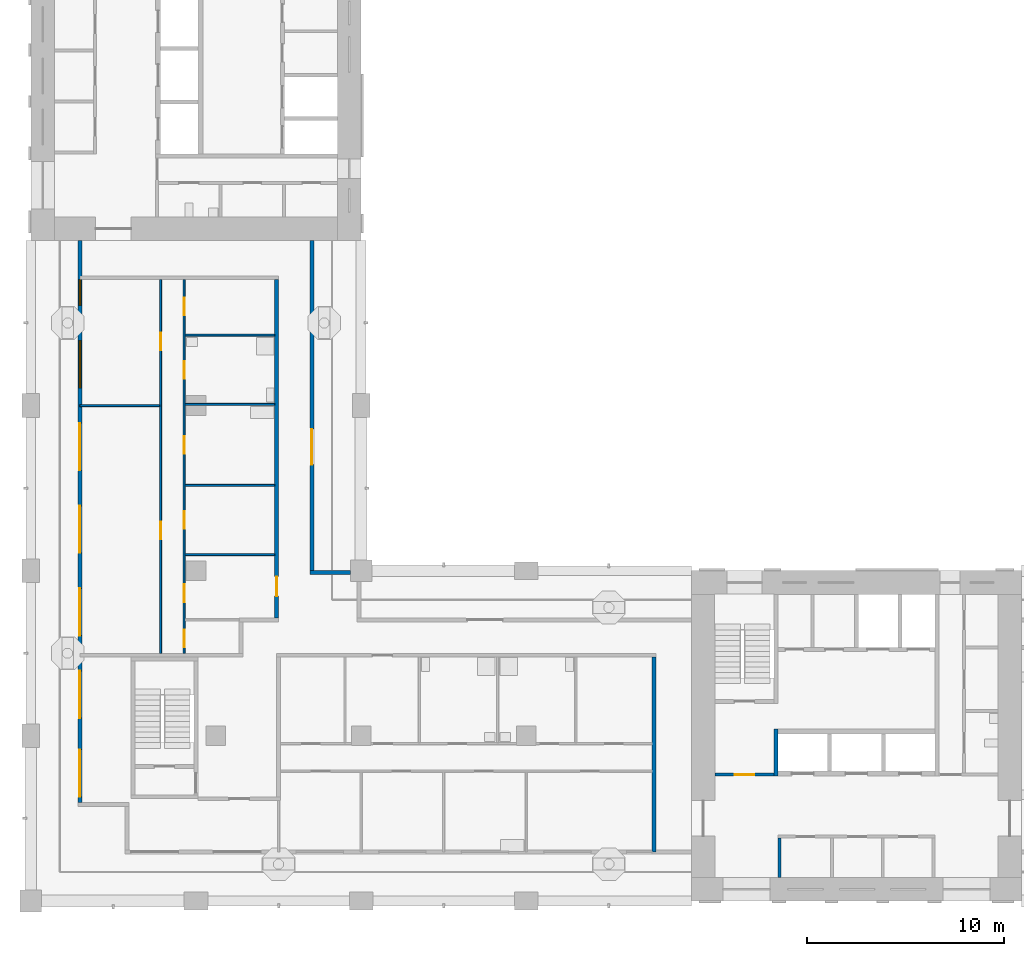
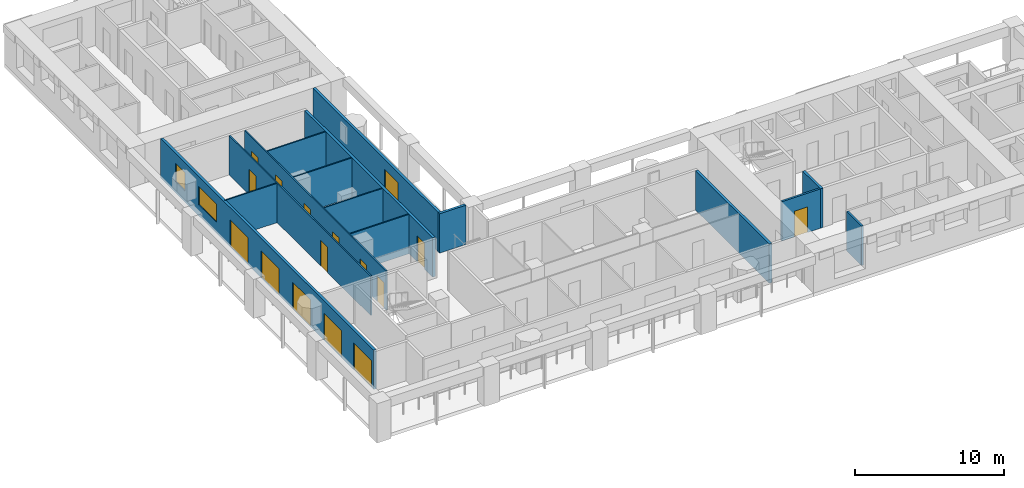
# One storey, part 3 of 13: 16 doors, 15 walls, 2 windows, 18 openings.
"""IFC4 building model written with IfcOpenShell, lengths in metres."""

from ifc_helpers import new_model, si_unit, direction, frame, frame_2d, origin, place, context, subcontext, project, spatial, rectangle, extrude, material, layer, layer_set, type_object, element, fill, save


model = new_model("IFC4")

# Units and contexts
model_context = context("Model", 3, precision=1e-05, world=origin(), true_north=direction((0.0, 1.0)))
body_context = subcontext(model_context, "Body", "Model", "MODEL_VIEW")
ifc_project = project(units=[si_unit("LENGTHUNIT", "METRE"), si_unit("AREAUNIT", "SQUARE_METRE"), si_unit("VOLUMEUNIT", "CUBIC_METRE"), si_unit("PLANEANGLEUNIT", "RADIAN"), si_unit("MASSUNIT", "GRAM", prefix="KILO")], contexts=[model_context])

# Site, building, storey
site_placement = place(None, origin())
site = spatial("IfcSite", under=ifc_project, at=site_placement, CompositionType="ELEMENT")
building_placement = place(site_placement, origin())
building = spatial("IfcBuilding", under=site, at=building_placement, Name="Vermilion Gate Residences", CompositionType="ELEMENT")
storey_placement = place(building_placement, frame((0.0, 0.0, 196.699951171875)))
storey = spatial("IfcBuildingStorey", under=building, at=storey_placement, Name="L51", CompositionType="ELEMENT", Elevation=196.699951171875)

# Wall
ifc_material_1 = material(Name="Masonry blockwork", Category="masonry")
ifc_layer_1 = layer(ifc_material_1, 0.14990234375)
ifc_layer_set_1 = layer_set([ifc_layer_1], Name="BLOCKWORK PARTITION 150 EI 120")
wall_type_1 = type_object("IfcWallType", Name="BLOCKWORK PARTITION 150 EI 120", PredefinedType="PARTITIONING", material=ifc_layer_set_1)
wall_1_placement = place(storey_placement, frame((46.47509765625, 9.60009765625, 0.0), z_axis=(0.0, 0.0, 1.0), x_axis=(0.0, 1.0, 0.0)))
element("IfcWall", 1, at=wall_1_placement, inside=storey, type_object=wall_type_1, Name="Core room partition A51-RW-W", PredefinedType="PARTITIONING", context=body_context, shape_type="SweptSolid", body=[
    extrude(rectangle(XDim=2.0, YDim=0.14990234375, at=frame_2d((1.0, 0.0))), origin(), (0.0, 0.0, 1.0), 3.219970703125),
])

# Wall, opening, door
wall_2_placement = place(storey_placement, frame((43.199951171875, 14.824951171875, 0.0), z_axis=(0.0, 0.0, 1.0), x_axis=(1.0, 0.0, 0.0)))
wall_2 = element("IfcWall", 2, at=wall_2_placement, inside=storey, type_object=wall_type_1, Name="Core room partition A51-VW-S", PredefinedType="PARTITIONING", context=body_context, shape_type="SweptSolid", body=[
    extrude(rectangle(XDim=3.0, YDim=0.14990234375, at=frame_2d((1.5, 0.0))), origin(), (0.0, 0.0, 1.0), 3.219970703125),
])
opening_1_placement = place(wall_2_placement, frame((1.0, 0.0, 0.0)))
opening_1 = element("IfcOpeningElement", 3, at=opening_1_placement, cuts=wall_2, Name="Opening DK51013", PredefinedType="OPENING", context=body_context, shape_type="SweptSolid", body=[
    extrude(rectangle(XDim=1.0, YDim=2.10009765625, at=frame_2d((0.5, 1.050048828125))), frame((0.0, 0.0849609375, 0.0), z_axis=(0.0, -1.0, 0.0), x_axis=(1.0, 0.0, 0.0)), (0.0, 0.0, 1.0), 0.169921875),
])
ifc_material_2 = material(Name="Steel", Category="steel")
door_type_1 = type_object("IfcDoorType", Name="FIRE DOOR FD60 1000 X 2100", OperationType="SINGLE_SWING_LEFT", PredefinedType="DOOR", material=ifc_material_2)
door_1_placement = place(opening_1_placement, frame((1.0, 0.0, 0.0), z_axis=(0.0, 0.0, 1.0), x_axis=(-1.0, 0.0, 0.0)))
door_1 = element("IfcDoor", 4, at=door_1_placement, inside=storey, type_object=door_type_1, Name="Stair vestibule door A51", OperationType="SINGLE_SWING_RIGHT", OverallHeight=2.10009765625, OverallWidth=1.0, PredefinedType="DOOR", context=body_context, shape_type="SweptSolid", body=[
    extrude(rectangle(XDim=1.0, YDim=2.10009765625, at=frame_2d((0.5, 1.050048828125))), frame((0.0, 0.02490234375, 0.0), z_axis=(0.0, -1.0, 0.0), x_axis=(1.0, 0.0, 0.0)), (0.0, 0.0, 1.0), 0.050048828125),
])
fill(opening_1, door_1)

# Wall, openings, doors, windows
ifc_material_3 = material(Name="Insulated steel stud wall with terracotta rainscreen", Category="masonry")
ifc_layer_2 = layer(ifc_material_3, 0.199951171875)
ifc_layer_set_2 = layer_set([ifc_layer_2], Name="EXTERNAL WALL 200 TERRACOTTA RAINSCREEN")
wall_type_2 = type_object("IfcWallType", Name="EXTERNAL WALL 200 TERRACOTTA RAINSCREEN", PredefinedType="SOLIDWALL", material=ifc_layer_set_2)
wall_3_placement = place(storey_placement, frame((10.89990234375, 42.0, 0.0), z_axis=(0.0, 0.0, 1.0), x_axis=(0.0, -1.0, 0.0)))
wall_3 = element("IfcWall", 5, at=wall_3_placement, inside=storey, type_object=wall_type_2, Name="External wall", PredefinedType="SOLIDWALL", context=body_context, shape_type="SweptSolid", body=[
    extrude(rectangle(XDim=28.60009765625, YDim=0.199951171875, at=frame_2d((14.300048828125, 0.0))), origin(), (0.0, 0.0, 1.0), 3.219970703125),
])
opening_2_placement = place(wall_3_placement, frame((25.89990234375, 0.0, 0.0)))
opening_2 = element("IfcOpeningElement", 6, at=opening_2_placement, cuts=wall_3, Name="Opening DE51001", PredefinedType="OPENING", context=body_context, shape_type="SweptSolid", body=[
    extrude(rectangle(XDim=2.39990234375, YDim=2.199951171875, at=frame_2d((1.199951171875, 1.10009765625))), frame((0.0, 0.10986328125, 0.0), z_axis=(0.0, -1.0, 0.0), x_axis=(1.0, 0.0, 0.0)), (0.0, 0.0, 1.0), 0.219970703125),
])
opening_3_placement = place(wall_3_placement, frame((21.89990234375, 0.0, 0.0)))
opening_3 = element("IfcOpeningElement", 7, at=opening_3_placement, cuts=wall_3, Name="Opening DE51002", PredefinedType="OPENING", context=body_context, shape_type="SweptSolid", body=[
    extrude(rectangle(XDim=2.39990234375, YDim=2.199951171875, at=frame_2d((1.199951171875, 1.10009765625))), frame((0.0, 0.10986328125, 0.0), z_axis=(0.0, -1.0, 0.0), x_axis=(1.0, 0.0, 0.0)), (0.0, 0.0, 1.0), 0.219970703125),
])
opening_4_placement = place(wall_3_placement, frame((17.699951171875, 0.0, 0.0)))
opening_4 = element("IfcOpeningElement", 8, at=opening_4_placement, cuts=wall_3, Name="Opening DE51003", PredefinedType="OPENING", context=body_context, shape_type="SweptSolid", body=[
    extrude(rectangle(XDim=2.39990234375, YDim=2.199951171875, at=frame_2d((1.199951171875, 1.10009765625))), frame((0.0, 0.10986328125, 0.0), z_axis=(0.0, -1.0, 0.0), x_axis=(1.0, 0.0, 0.0)), (0.0, 0.0, 1.0), 0.219970703125),
])
opening_5_placement = place(wall_3_placement, frame((13.5, 0.0, 0.0)))
opening_5 = element("IfcOpeningElement", 9, at=opening_5_placement, cuts=wall_3, Name="Opening DE51004", PredefinedType="OPENING", context=body_context, shape_type="SweptSolid", body=[
    extrude(rectangle(XDim=2.39990234375, YDim=2.199951171875, at=frame_2d((1.199951171875, 1.10009765625))), frame((0.0, 0.10986328125, 0.0), z_axis=(0.0, -1.0, 0.0), x_axis=(1.0, 0.0, 0.0)), (0.0, 0.0, 1.0), 0.219970703125),
])
opening_6_placement = place(wall_3_placement, frame((9.300048828125, 0.0, 0.0)))
opening_6 = element("IfcOpeningElement", 10, at=opening_6_placement, cuts=wall_3, Name="Opening DE51005", PredefinedType="OPENING", context=body_context, shape_type="SweptSolid", body=[
    extrude(rectangle(XDim=2.39990234375, YDim=2.199951171875, at=frame_2d((1.199951171875, 1.10009765625))), frame((0.0, 0.10986328125, 0.0), z_axis=(0.0, -1.0, 0.0), x_axis=(1.0, 0.0, 0.0)), (0.0, 0.0, 1.0), 0.219970703125),
])
opening_7_placement = place(wall_3_placement, frame((5.10009765625, 0.0, 0.89990234375)))
opening_7 = element("IfcOpeningElement", 11, at=opening_7_placement, cuts=wall_3, Name="Opening WE51006", PredefinedType="OPENING", context=body_context, shape_type="SweptSolid", body=[
    extrude(rectangle(XDim=2.39990234375, YDim=1.5, at=frame_2d((1.199951171875, 0.75))), frame((0.0, 0.10986328125, 0.0), z_axis=(0.0, -1.0, 0.0), x_axis=(1.0, 0.0, 0.0)), (0.0, 0.0, 1.0), 0.219970703125),
])
opening_8_placement = place(wall_3_placement, frame((2.0, 0.0, 0.89990234375)))
opening_8 = element("IfcOpeningElement", 12, at=opening_8_placement, cuts=wall_3, Name="Opening WE51007", PredefinedType="OPENING", context=body_context, shape_type="SweptSolid", body=[
    extrude(rectangle(XDim=1.300048828125, YDim=1.5, at=frame_2d((0.64990234375, 0.75))), frame((0.0, 0.10986328125, 0.0), z_axis=(0.0, -1.0, 0.0), x_axis=(1.0, 0.0, 0.0)), (0.0, 0.0, 1.0), 0.219970703125),
])
ifc_material_4 = material(Name="Aluminium and clear glass", Category="aluminium")
door_type_2 = type_object("IfcDoorType", Name="SLIDING GLAZED DOOR 2400 X 2200", OperationType="DOUBLE_DOOR_SLIDING", PredefinedType="DOOR", material=ifc_material_4)
door_2_placement = place(opening_2_placement, origin())
door_2 = element("IfcDoor", 13, at=door_2_placement, inside=storey, type_object=door_type_2, Name="Loggia sliding door", OperationType="DOUBLE_DOOR_SLIDING", OverallHeight=2.199951171875, OverallWidth=2.39990234375, PredefinedType="DOOR", context=body_context, shape_type="SweptSolid", body=[
    extrude(rectangle(XDim=2.39990234375, YDim=2.199951171875, at=frame_2d((1.199951171875, 1.10009765625))), frame((0.0, 0.02490234375, 0.0), z_axis=(0.0, -1.0, 0.0), x_axis=(1.0, 0.0, 0.0)), (0.0, 0.0, 1.0), 0.050048828125),
])
fill(opening_2, door_2)
door_3_placement = place(opening_3_placement, origin())
door_3 = element("IfcDoor", 14, at=door_3_placement, inside=storey, type_object=door_type_2, Name="Loggia sliding door", OperationType="DOUBLE_DOOR_SLIDING", OverallHeight=2.199951171875, OverallWidth=2.39990234375, PredefinedType="DOOR", context=body_context, shape_type="SweptSolid", body=[
    extrude(rectangle(XDim=2.39990234375, YDim=2.199951171875, at=frame_2d((1.199951171875, 1.10009765625))), frame((0.0, 0.02490234375, 0.0), z_axis=(0.0, -1.0, 0.0), x_axis=(1.0, 0.0, 0.0)), (0.0, 0.0, 1.0), 0.050048828125),
])
fill(opening_3, door_3)
door_4_placement = place(opening_4_placement, origin())
door_4 = element("IfcDoor", 15, at=door_4_placement, inside=storey, type_object=door_type_2, Name="Loggia sliding door", OperationType="DOUBLE_DOOR_SLIDING", OverallHeight=2.199951171875, OverallWidth=2.39990234375, PredefinedType="DOOR", context=body_context, shape_type="SweptSolid", body=[
    extrude(rectangle(XDim=2.39990234375, YDim=2.199951171875, at=frame_2d((1.199951171875, 1.10009765625))), frame((0.0, 0.02490234375, 0.0), z_axis=(0.0, -1.0, 0.0), x_axis=(1.0, 0.0, 0.0)), (0.0, 0.0, 1.0), 0.050048828125),
])
fill(opening_4, door_4)
door_5_placement = place(opening_5_placement, origin())
door_5 = element("IfcDoor", 16, at=door_5_placement, inside=storey, type_object=door_type_2, Name="Loggia sliding door", OperationType="DOUBLE_DOOR_SLIDING", OverallHeight=2.199951171875, OverallWidth=2.39990234375, PredefinedType="DOOR", context=body_context, shape_type="SweptSolid", body=[
    extrude(rectangle(XDim=2.39990234375, YDim=2.199951171875, at=frame_2d((1.199951171875, 1.10009765625))), frame((0.0, 0.02490234375, 0.0), z_axis=(0.0, -1.0, 0.0), x_axis=(1.0, 0.0, 0.0)), (0.0, 0.0, 1.0), 0.050048828125),
])
fill(opening_5, door_5)
door_6_placement = place(opening_6_placement, origin())
door_6 = element("IfcDoor", 17, at=door_6_placement, inside=storey, type_object=door_type_2, Name="Loggia sliding door", OperationType="DOUBLE_DOOR_SLIDING", OverallHeight=2.199951171875, OverallWidth=2.39990234375, PredefinedType="DOOR", context=body_context, shape_type="SweptSolid", body=[
    extrude(rectangle(XDim=2.39990234375, YDim=2.199951171875, at=frame_2d((1.199951171875, 1.10009765625))), frame((0.0, 0.02490234375, 0.0), z_axis=(0.0, -1.0, 0.0), x_axis=(1.0, 0.0, 0.0)), (0.0, 0.0, 1.0), 0.050048828125),
])
fill(opening_6, door_6)
ifc_material_5 = material(Name="Aluminium and clear glass", Category="aluminium")
window_type_1 = type_object("IfcWindowType", Name="WINDOW 1300 X 1500", PartitioningType="SINGLE_PANEL", PredefinedType="WINDOW", material=ifc_material_5)
window_1_placement = place(opening_8_placement, origin())
window_1 = element("IfcWindow", 18, at=window_1_placement, inside=storey, type_object=window_type_1, Name="Window", OverallHeight=1.5, OverallWidth=1.300048828125, PartitioningType="SINGLE_PANEL", PredefinedType="WINDOW", context=body_context, shape_type="SweptSolid", body=[
    extrude(rectangle(XDim=1.300048828125, YDim=1.5, at=frame_2d((0.64990234375, 0.75))), frame((0.0, 0.030029296875, 0.0), z_axis=(0.0, -1.0, 0.0), x_axis=(1.0, 0.0, 0.0)), (0.0, 0.0, 1.0), 0.06005859375),
])
fill(opening_8, window_1)
ifc_material_6 = material(Name="Aluminium and clear glass", Category="aluminium")
window_type_2 = type_object("IfcWindowType", Name="WINDOW 2400 X 1500", PartitioningType="SINGLE_PANEL", PredefinedType="WINDOW", material=ifc_material_6)
window_2_placement = place(opening_7_placement, origin())
window_2 = element("IfcWindow", 19, at=window_2_placement, inside=storey, type_object=window_type_2, Name="Window", OverallHeight=1.5, OverallWidth=2.39990234375, PartitioningType="SINGLE_PANEL", PredefinedType="WINDOW", context=body_context, shape_type="SweptSolid", body=[
    extrude(rectangle(XDim=2.39990234375, YDim=1.5, at=frame_2d((1.199951171875, 0.75))), frame((0.0, 0.030029296875, 0.0), z_axis=(0.0, -1.0, 0.0), x_axis=(1.0, 0.0, 0.0)), (0.0, 0.0, 1.0), 0.06005859375),
])
fill(opening_7, window_2)

# Wall
wall_4_placement = place(storey_placement, frame((24.64990234375, 25.10009765625, 0.0), z_axis=(0.0, 0.0, 1.0), x_axis=(-1.0, 0.0, 0.0)))
element("IfcWall", 20, at=wall_4_placement, inside=storey, type_object=wall_type_2, Name="External wall", PredefinedType="SOLIDWALL", context=body_context, shape_type="SweptSolid", body=[
    extrude(rectangle(XDim=2.0498046875, YDim=0.199951171875, at=frame_2d((1.02490234375, 0.0))), origin(), (0.0, 0.0, 1.0), 3.219970703125),
])

# Wall, opening, door
wall_5_placement = place(storey_placement, frame((22.699951171875, 25.199951171875, 0.0), z_axis=(0.0, 0.0, 1.0), x_axis=(0.0, 1.0, 0.0)))
wall_5 = element("IfcWall", 21, at=wall_5_placement, inside=storey, type_object=wall_type_2, Name="External wall", PredefinedType="SOLIDWALL", context=body_context, shape_type="SweptSolid", body=[
    extrude(rectangle(XDim=16.800048828125, YDim=0.199951171875, at=frame_2d((8.39990234375, 0.0))), origin(), (0.0, 0.0, 1.0), 3.219970703125),
])
opening_9_placement = place(wall_5_placement, frame((5.39990234375, 0.0, 0.0)))
opening_9 = element("IfcOpeningElement", 22, at=opening_9_placement, cuts=wall_5, Name="Opening DE51021", PredefinedType="OPENING", context=body_context, shape_type="SweptSolid", body=[
    extrude(rectangle(XDim=1.800048828125, YDim=2.39990234375, at=frame_2d((0.89990234375, 1.199951171875))), frame((0.0, 0.10986328125, 0.0), z_axis=(0.0, -1.0, 0.0), x_axis=(1.0, 0.0, 0.0)), (0.0, 0.0, 1.0), 0.219970703125),
])
ifc_material_7 = material(Name="Aluminium and clear glass", Category="aluminium")
door_type_3 = type_object("IfcDoorType", Name="GLAZED EXTERNAL DOOR 1800 X 2400", OperationType="DOUBLE_DOOR_SINGLE_SWING", PredefinedType="DOOR", material=ifc_material_7)
door_7_placement = place(opening_9_placement, frame((1.800048828125, 0.0, 0.0), z_axis=(0.0, 0.0, 1.0), x_axis=(-1.0, 0.0, 0.0)))
door_7 = element("IfcDoor", 23, at=door_7_placement, inside=storey, type_object=door_type_3, Name="Gallery door", OperationType="DOUBLE_DOOR_SINGLE_SWING", OverallHeight=2.39990234375, OverallWidth=1.800048828125, PredefinedType="DOOR", context=body_context, shape_type="SweptSolid", body=[
    extrude(rectangle(XDim=1.800048828125, YDim=2.39990234375, at=frame_2d((0.89990234375, 1.199951171875))), frame((0.0, 0.02490234375, 0.0), z_axis=(0.0, -1.0, 0.0), x_axis=(1.0, 0.0, 0.0)), (0.0, 0.0, 1.0), 0.050048828125),
])
fill(opening_9, door_7)

# Walls
ifc_material_8 = material(Name="Plasterboard on steel studs", Category="steel")
ifc_layer_3 = layer(ifc_material_8, 0.10009765625)
ifc_layer_set_3 = layer_set([ifc_layer_3], Name="PARTITION 100")
wall_type_3 = type_object("IfcWallType", Name="PARTITION 100", PredefinedType="PARTITIONING", material=ifc_layer_set_3)
for number, where, z_axis, x_axis, name in (
    (24, (16.25, 26.02001953125, 0.0), (0.0, 0.0, 1.0), (1.0, 0.0, 0.0), "Partition"),
    (25, (16.25, 29.5400390625, 0.0), (0.0, 0.0, 1.0), (1.0, 0.0, 0.0), "Partition"),
):
    element("IfcWall", number, at=place(storey_placement, frame(where, z_axis=z_axis, x_axis=x_axis)), inside=storey, type_object=wall_type_3, Name=name, PredefinedType="PARTITIONING", context=body_context, shape_type="SweptSolid", body=[
        extrude(rectangle(XDim=4.550048828125, YDim=0.10009765625, at=frame_2d((2.27490234375, 0.0))), origin(), (0.0, 0.0, 1.0), 3.219970703125),
    ])
wall_6_placement = place(storey_placement, frame((10.89990234375, 33.60009765625, 0.0), z_axis=(0.0, 0.0, 1.0), x_axis=(1.0, 0.0, 0.0)))
element("IfcWall", 26, at=wall_6_placement, inside=storey, type_object=wall_type_3, Name="Partition", PredefinedType="PARTITIONING", context=body_context, shape_type="SweptSolid", body=[
    extrude(rectangle(XDim=4.050048828125, YDim=0.10009765625, at=frame_2d((2.02490234375, 0.0))), origin(), (0.0, 0.0, 1.0), 3.219970703125),
])
for number, where, z_axis, x_axis, name in (
    (27, (16.25, 33.659912109375, 0.0), (0.0, 0.0, 1.0), (1.0, 0.0, 0.0), "Partition"),
    (28, (16.25, 37.179931640625, 0.0), (0.0, 0.0, 1.0), (1.0, 0.0, 0.0), "Partition"),
):
    element("IfcWall", number, at=place(storey_placement, frame(where, z_axis=z_axis, x_axis=x_axis)), inside=storey, type_object=wall_type_3, Name=name, PredefinedType="PARTITIONING", context=body_context, shape_type="SweptSolid", body=[
        extrude(rectangle(XDim=4.550048828125, YDim=0.10009765625, at=frame_2d((2.27490234375, 0.0))), origin(), (0.0, 0.0, 1.0), 3.219970703125),
    ])

# Wall, openings, doors
wall_7_placement = place(storey_placement, frame((15.0, 21.0, 0.0), z_axis=(0.0, 0.0, 1.0), x_axis=(0.0, 1.0, 0.0)))
wall_7 = element("IfcWall", 29, at=wall_7_placement, inside=storey, type_object=wall_type_3, Name="Partition", PredefinedType="PARTITIONING", context=body_context, shape_type="SweptSolid", body=[
    extrude(rectangle(XDim=19.0, YDim=0.10009765625, at=frame_2d((9.5, 0.0))), origin(), (0.0, 0.0, 1.0), 3.219970703125),
])
opening_10_placement = place(wall_7_placement, frame((5.800048828125, 0.0, 0.0)))
opening_10 = element("IfcOpeningElement", 30, at=opening_10_placement, cuts=wall_7, Name="Opening DA49012", PredefinedType="OPENING", context=body_context, shape_type="SweptSolid", body=[
    extrude(rectangle(XDim=0.89990234375, YDim=2.10009765625, at=frame_2d((0.449951171875, 1.050048828125))), frame((0.0, 0.06005859375, 0.0), z_axis=(0.0, -1.0, 0.0), x_axis=(1.0, 0.0, 0.0)), (0.0, 0.0, 1.0), 0.1201171875),
])
opening_11_placement = place(wall_7_placement, frame((15.39990234375, 0.0, 0.0)))
opening_11 = element("IfcOpeningElement", 31, at=opening_11_placement, cuts=wall_7, Name="Opening DA49013", PredefinedType="OPENING", context=body_context, shape_type="SweptSolid", body=[
    extrude(rectangle(XDim=0.89990234375, YDim=2.10009765625, at=frame_2d((0.449951171875, 1.050048828125))), frame((0.0, 0.06005859375, 0.0), z_axis=(0.0, -1.0, 0.0), x_axis=(1.0, 0.0, 0.0)), (0.0, 0.0, 1.0), 0.1201171875),
])
ifc_material_9 = material(Name="Timber", Category="wood")
door_type_4 = type_object("IfcDoorType", Name="INTERIOR DOOR 900 X 2100", OperationType="SINGLE_SWING_LEFT", PredefinedType="DOOR", material=ifc_material_9)
door_8_placement = place(opening_10_placement, origin())
door_8 = element("IfcDoor", 32, at=door_8_placement, inside=storey, type_object=door_type_4, Name="Interior door", OperationType="SINGLE_SWING_LEFT", OverallHeight=2.10009765625, OverallWidth=0.89990234375, PredefinedType="DOOR", context=body_context, shape_type="SweptSolid", body=[
    extrude(rectangle(XDim=0.89990234375, YDim=2.10009765625, at=frame_2d((0.449951171875, 1.050048828125))), frame((0.0, 0.02490234375, 0.0), z_axis=(0.0, -1.0, 0.0), x_axis=(1.0, 0.0, 0.0)), (0.0, 0.0, 1.0), 0.050048828125),
])
fill(opening_10, door_8)
door_9_placement = place(opening_11_placement, origin())
door_9 = element("IfcDoor", 33, at=door_9_placement, inside=storey, type_object=door_type_4, Name="Interior door", OperationType="SINGLE_SWING_RIGHT", OverallHeight=2.10009765625, OverallWidth=0.89990234375, PredefinedType="DOOR", context=body_context, shape_type="SweptSolid", body=[
    extrude(rectangle(XDim=0.89990234375, YDim=2.10009765625, at=frame_2d((0.449951171875, 1.050048828125))), frame((0.0, 0.02490234375, 0.0), z_axis=(0.0, -1.0, 0.0), x_axis=(1.0, 0.0, 0.0)), (0.0, 0.0, 1.0), 0.050048828125),
])
fill(opening_11, door_9)

wall_8_placement = place(storey_placement, frame((16.199951171875, 21.0, 0.0), z_axis=(0.0, 0.0, 1.0), x_axis=(0.0, 1.0, 0.0)))
wall_8 = element("IfcWall", 34, at=wall_8_placement, inside=storey, type_object=wall_type_3, Name="Partition", PredefinedType="PARTITIONING", context=body_context, shape_type="SweptSolid", body=[
    extrude(rectangle(XDim=19.0, YDim=0.10009765625, at=frame_2d((9.5, 0.0))), origin(), (0.0, 0.0, 1.0), 3.219970703125),
])
opening_12_placement = place(wall_8_placement, frame((2.60009765625, 0.0, 0.0)))
opening_12 = element("IfcOpeningElement", 35, at=opening_12_placement, cuts=wall_8, Name="Opening DA49014", PredefinedType="OPENING", context=body_context, shape_type="SweptSolid", body=[
    extrude(rectangle(XDim=0.89990234375, YDim=2.10009765625, at=frame_2d((0.449951171875, 1.050048828125))), frame((0.0, 0.06005859375, 0.0), z_axis=(0.0, -1.0, 0.0), x_axis=(1.0, 0.0, 0.0)), (0.0, 0.0, 1.0), 0.1201171875),
])
opening_13_placement = place(wall_8_placement, frame((0.300048828125, 0.0, 0.0)))
opening_13 = element("IfcOpeningElement", 36, at=opening_13_placement, cuts=wall_8, Name="Opening DA49015", PredefinedType="OPENING", context=body_context, shape_type="SweptSolid", body=[
    extrude(rectangle(XDim=0.89990234375, YDim=2.10009765625, at=frame_2d((0.449951171875, 1.050048828125))), frame((0.0, 0.06005859375, 0.0), z_axis=(0.0, -1.0, 0.0), x_axis=(1.0, 0.0, 0.0)), (0.0, 0.0, 1.0), 0.1201171875),
])
opening_14_placement = place(wall_8_placement, frame((6.320068359375, 0.0, 0.0)))
opening_14 = element("IfcOpeningElement", 37, at=opening_14_placement, cuts=wall_8, Name="Opening DA49016", PredefinedType="OPENING", context=body_context, shape_type="SweptSolid", body=[
    extrude(rectangle(XDim=0.89990234375, YDim=2.10009765625, at=frame_2d((0.449951171875, 1.050048828125))), frame((0.0, 0.06005859375, 0.0), z_axis=(0.0, -1.0, 0.0), x_axis=(1.0, 0.0, 0.0)), (0.0, 0.0, 1.0), 0.1201171875),
])
opening_15_placement = place(wall_8_placement, frame((10.139892578125, 0.0, 0.0)))
opening_15 = element("IfcOpeningElement", 38, at=opening_15_placement, cuts=wall_8, Name="Opening DA49017", PredefinedType="OPENING", context=body_context, shape_type="SweptSolid", body=[
    extrude(rectangle(XDim=0.89990234375, YDim=2.10009765625, at=frame_2d((0.449951171875, 1.050048828125))), frame((0.0, 0.06005859375, 0.0), z_axis=(0.0, -1.0, 0.0), x_axis=(1.0, 0.0, 0.0)), (0.0, 0.0, 1.0), 0.1201171875),
])
opening_16_placement = place(wall_8_placement, frame((13.9599609375, 0.0, 0.0)))
opening_16 = element("IfcOpeningElement", 39, at=opening_16_placement, cuts=wall_8, Name="Opening DA49018", PredefinedType="OPENING", context=body_context, shape_type="SweptSolid", body=[
    extrude(rectangle(XDim=0.89990234375, YDim=2.10009765625, at=frame_2d((0.449951171875, 1.050048828125))), frame((0.0, 0.06005859375, 0.0), z_axis=(0.0, -1.0, 0.0), x_axis=(1.0, 0.0, 0.0)), (0.0, 0.0, 1.0), 0.1201171875),
])
opening_17_placement = place(wall_8_placement, frame((17.179931640625, 0.0, 0.0)))
opening_17 = element("IfcOpeningElement", 40, at=opening_17_placement, cuts=wall_8, Name="Opening DA49019", PredefinedType="OPENING", context=body_context, shape_type="SweptSolid", body=[
    extrude(rectangle(XDim=0.89990234375, YDim=2.10009765625, at=frame_2d((0.449951171875, 1.050048828125))), frame((0.0, 0.06005859375, 0.0), z_axis=(0.0, -1.0, 0.0), x_axis=(1.0, 0.0, 0.0)), (0.0, 0.0, 1.0), 0.1201171875),
])
door_10_placement = place(opening_12_placement, frame((0.89990234375, 0.0, 0.0), z_axis=(0.0, 0.0, 1.0), x_axis=(-1.0, 0.0, 0.0)))
door_10 = element("IfcDoor", 41, at=door_10_placement, inside=storey, type_object=door_type_4, Name="Interior door", OperationType="SINGLE_SWING_LEFT", OverallHeight=2.10009765625, OverallWidth=0.89990234375, PredefinedType="DOOR", context=body_context, shape_type="SweptSolid", body=[
    extrude(rectangle(XDim=0.89990234375, YDim=2.10009765625, at=frame_2d((0.449951171875, 1.050048828125))), frame((0.0, 0.02490234375, 0.0), z_axis=(0.0, -1.0, 0.0), x_axis=(1.0, 0.0, 0.0)), (0.0, 0.0, 1.0), 0.050048828125),
])
fill(opening_12, door_10)
door_11_placement = place(opening_13_placement, frame((0.89990234375, 0.0, 0.0), z_axis=(0.0, 0.0, 1.0), x_axis=(-1.0, 0.0, 0.0)))
door_11 = element("IfcDoor", 42, at=door_11_placement, inside=storey, type_object=door_type_4, Name="Interior door", OperationType="SINGLE_SWING_RIGHT", OverallHeight=2.10009765625, OverallWidth=0.89990234375, PredefinedType="DOOR", context=body_context, shape_type="SweptSolid", body=[
    extrude(rectangle(XDim=0.89990234375, YDim=2.10009765625, at=frame_2d((0.449951171875, 1.050048828125))), frame((0.0, 0.02490234375, 0.0), z_axis=(0.0, -1.0, 0.0), x_axis=(1.0, 0.0, 0.0)), (0.0, 0.0, 1.0), 0.050048828125),
])
fill(opening_13, door_11)
door_12_placement = place(opening_14_placement, frame((0.89990234375, 0.0, 0.0), z_axis=(0.0, 0.0, 1.0), x_axis=(-1.0, 0.0, 0.0)))
door_12 = element("IfcDoor", 43, at=door_12_placement, inside=storey, type_object=door_type_4, Name="Interior door", OperationType="SINGLE_SWING_RIGHT", OverallHeight=2.10009765625, OverallWidth=0.89990234375, PredefinedType="DOOR", context=body_context, shape_type="SweptSolid", body=[
    extrude(rectangle(XDim=0.89990234375, YDim=2.10009765625, at=frame_2d((0.449951171875, 1.050048828125))), frame((0.0, 0.02490234375, 0.0), z_axis=(0.0, -1.0, 0.0), x_axis=(1.0, 0.0, 0.0)), (0.0, 0.0, 1.0), 0.050048828125),
])
fill(opening_14, door_12)
door_13_placement = place(opening_15_placement, frame((0.89990234375, 0.0, 0.0), z_axis=(0.0, 0.0, 1.0), x_axis=(-1.0, 0.0, 0.0)))
door_13 = element("IfcDoor", 44, at=door_13_placement, inside=storey, type_object=door_type_4, Name="Interior door", OperationType="SINGLE_SWING_LEFT", OverallHeight=2.10009765625, OverallWidth=0.89990234375, PredefinedType="DOOR", context=body_context, shape_type="SweptSolid", body=[
    extrude(rectangle(XDim=0.89990234375, YDim=2.10009765625, at=frame_2d((0.449951171875, 1.050048828125))), frame((0.0, 0.02490234375, 0.0), z_axis=(0.0, -1.0, 0.0), x_axis=(1.0, 0.0, 0.0)), (0.0, 0.0, 1.0), 0.050048828125),
])
fill(opening_15, door_13)
door_14_placement = place(opening_16_placement, frame((0.89990234375, 0.0, 0.0), z_axis=(0.0, 0.0, 1.0), x_axis=(-1.0, 0.0, 0.0)))
door_14 = element("IfcDoor", 45, at=door_14_placement, inside=storey, type_object=door_type_4, Name="Interior door", OperationType="SINGLE_SWING_LEFT", OverallHeight=2.10009765625, OverallWidth=0.89990234375, PredefinedType="DOOR", context=body_context, shape_type="SweptSolid", body=[
    extrude(rectangle(XDim=0.89990234375, YDim=2.10009765625, at=frame_2d((0.449951171875, 1.050048828125))), frame((0.0, 0.02490234375, 0.0), z_axis=(0.0, -1.0, 0.0), x_axis=(1.0, 0.0, 0.0)), (0.0, 0.0, 1.0), 0.050048828125),
])
fill(opening_16, door_14)
door_15_placement = place(opening_17_placement, frame((0.89990234375, 0.0, 0.0), z_axis=(0.0, 0.0, 1.0), x_axis=(-1.0, 0.0, 0.0)))
door_15 = element("IfcDoor", 46, at=door_15_placement, inside=storey, type_object=door_type_4, Name="Interior door", OperationType="SINGLE_SWING_LEFT", OverallHeight=2.10009765625, OverallWidth=0.89990234375, PredefinedType="DOOR", context=body_context, shape_type="SweptSolid", body=[
    extrude(rectangle(XDim=0.89990234375, YDim=2.10009765625, at=frame_2d((0.449951171875, 1.050048828125))), frame((0.0, 0.02490234375, 0.0), z_axis=(0.0, -1.0, 0.0), x_axis=(1.0, 0.0, 0.0)), (0.0, 0.0, 1.0), 0.050048828125),
])
fill(opening_17, door_15)

# Wall, opening, door
ifc_material_10 = material(Name="Fire-rated plasterboard on steel studs", Category="steel")
ifc_layer_4 = layer(ifc_material_10, 0.199951171875)
ifc_layer_set_4 = layer_set([ifc_layer_4], Name="PARTY WALL 200 EI 120")
wall_type_4 = type_object("IfcWallType", Name="PARTY WALL 200 EI 120", PredefinedType="PARTITIONING", material=ifc_layer_set_4)
wall_9_placement = place(storey_placement, frame((20.89990234375, 22.800048828125, 0.0), z_axis=(0.0, 0.0, 1.0), x_axis=(0.0, 1.0, 0.0)))
wall_9 = element("IfcWall", 47, at=wall_9_placement, inside=storey, type_object=wall_type_4, Name="Party and corridor wall", PredefinedType="PARTITIONING", context=body_context, shape_type="SweptSolid", body=[
    extrude(rectangle(XDim=17.199951171875, YDim=0.199951171875, at=frame_2d((8.60009765625, 0.0))), origin(), (0.0, 0.0, 1.0), 3.219970703125),
])
opening_18_placement = place(wall_9_placement, frame((1.10009765625, 0.0, 0.0)))
opening_18 = element("IfcOpeningElement", 48, at=opening_18_placement, cuts=wall_9, Name="Opening DA49020", PredefinedType="OPENING", context=body_context, shape_type="SweptSolid", body=[
    extrude(rectangle(XDim=1.0, YDim=2.10009765625, at=frame_2d((0.5, 1.050048828125))), frame((0.0, 0.10986328125, 0.0), z_axis=(0.0, -1.0, 0.0), x_axis=(1.0, 0.0, 0.0)), (0.0, 0.0, 1.0), 0.219970703125),
])
ifc_material_11 = material(Name="Steel", Category="steel")
door_type_5 = type_object("IfcDoorType", Name="ENTRANCE DOOR 1000 X 2100 FD30", OperationType="SINGLE_SWING_LEFT", PredefinedType="DOOR", material=ifc_material_11)
door_16_placement = place(opening_18_placement, origin())
door_16 = element("IfcDoor", 49, at=door_16_placement, inside=storey, type_object=door_type_5, Name="Entrance door", OperationType="SINGLE_SWING_RIGHT", OverallHeight=2.10009765625, OverallWidth=1.0, PredefinedType="DOOR", context=body_context, shape_type="SweptSolid", body=[
    extrude(rectangle(XDim=1.0, YDim=2.10009765625, at=frame_2d((0.5, 1.050048828125))), frame((0.0, 0.02490234375, 0.0), z_axis=(0.0, -1.0, 0.0), x_axis=(1.0, 0.0, 0.0)), (0.0, 0.0, 1.0), 0.050048828125),
])
fill(opening_18, door_16)

# Walls
wall_10_placement = place(storey_placement, frame((40.10009765625, 10.89990234375, 0.0), z_axis=(0.0, 0.0, 1.0), x_axis=(0.0, 1.0, 0.0)))
element("IfcWall", 50, at=wall_10_placement, inside=storey, type_object=wall_type_4, Name="Party and corridor wall", PredefinedType="PARTITIONING", context=body_context, shape_type="SweptSolid", body=[
    extrude(rectangle(XDim=9.900146484375, YDim=0.199951171875, at=frame_2d((4.9501953125, 0.0))), origin(), (0.0, 0.0, 1.0), 3.219970703125),
])
ifc_material_12 = material(Name="Concrete C60", Category="concrete")
ifc_layer_5 = layer(ifc_material_12, 0.199951171875)
ifc_layer_set_5 = layer_set([ifc_layer_5], Name="RC CORE INTERNAL WALL 200 C60")
wall_type_5 = type_object("IfcWallType", Name="RC CORE INTERNAL WALL 200 C60", PredefinedType="SHEAR", material=ifc_layer_set_5)
wall_11_placement = place(storey_placement, frame((46.300048828125, 14.75, 0.0), z_axis=(0.0, 0.0, 1.0), x_axis=(0.0, 1.0, 0.0)))
element("IfcWall", 51, at=wall_11_placement, inside=storey, type_object=wall_type_5, Name="Core internal wall A51-WDIV1", PredefinedType="SHEAR", context=body_context, shape_type="SweptSolid", body=[
    extrude(rectangle(XDim=2.39990234375, YDim=0.199951171875, at=frame_2d((1.199951171875, 0.0))), origin(), (0.0, 0.0, 1.0), 3.219970703125),
])

save(model, "model.ifc")
